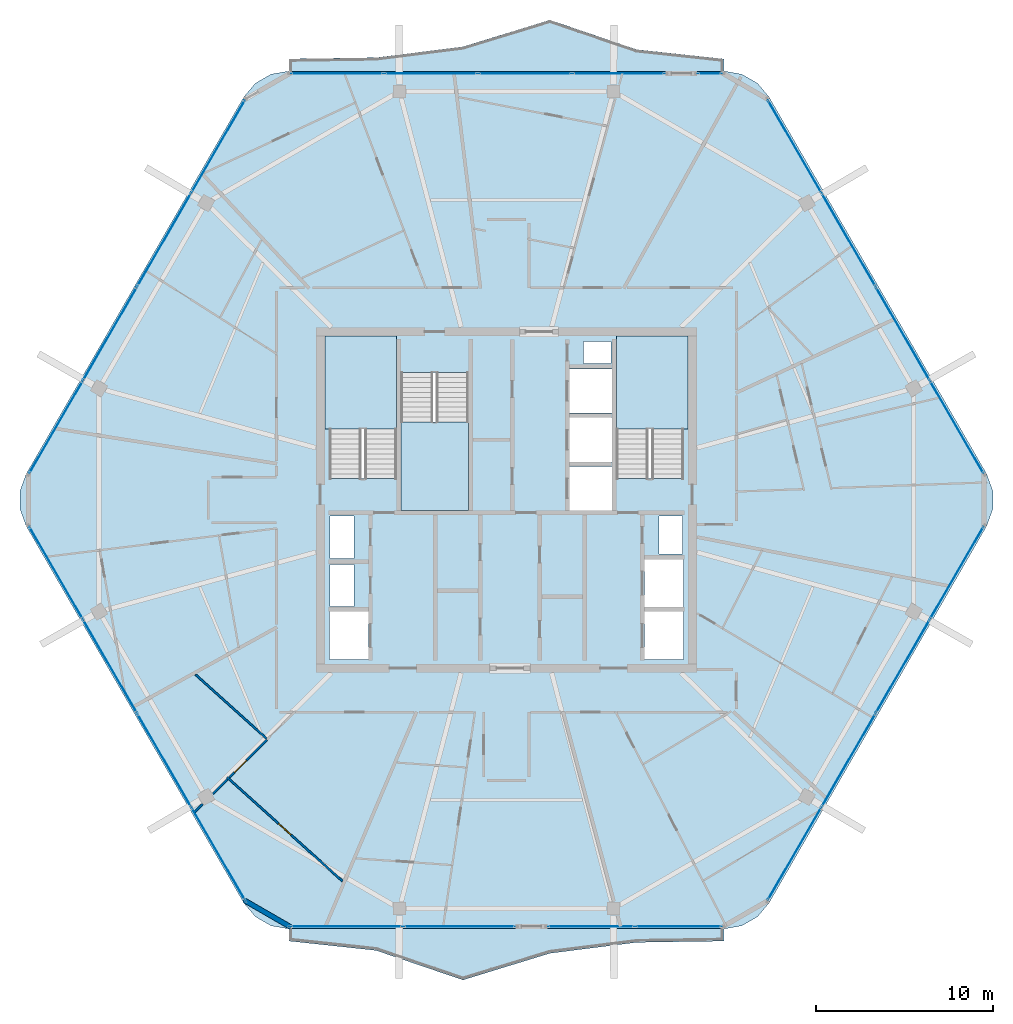
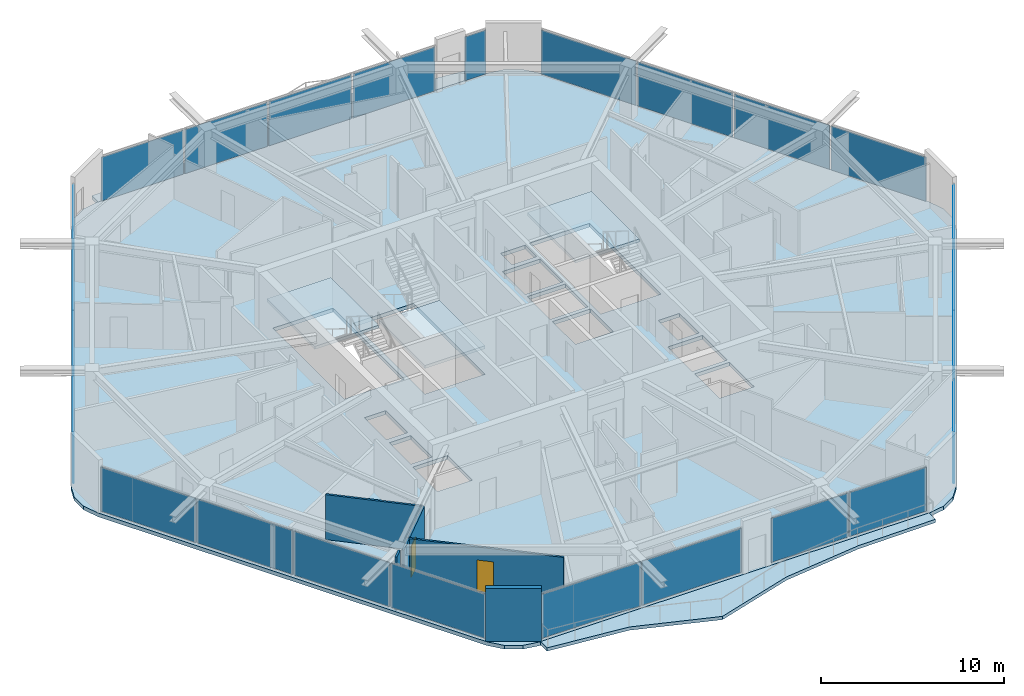
# One storey, part 14 of 21: 25 plates, 6 slabs, 6 walls, 2 doors, 2 openings, 11 elements without a shape of their own.
"""IFC4 building model written with IfcOpenShell, lengths in metres."""

import ifcopenshell
import ifcopenshell.guid

model = None  # the IFC model being written
_history = None  # IfcOwnerHistory: only IFC2X3 demands one
_inside = {}  # id of a spatial element -> (the spatial element, [elements in it])
_under = {}  # id of a project, library or spatial element -> (it, [spatial elements below it])
_declared = {}  # id of a project -> (the project, [libraries it declares])
_typed = {}  # id of a type object -> (the type object, [elements of that type])
_made_of = {}  # id of a material, layer set ... -> (it, [elements and type objects made of it])


def new_model(schema):
    """Start an empty IFC model of exactly this schema.

    Asked for "IFC4X3", IfcOpenShell would pick the latest addendum, in which some entities
    have other attributes; the version numbers below select the first issue.
    IFC2X3 requires an IfcOwnerHistory on every rooted entity: one is made here for all.
    """
    global model, _history
    if schema == "IFC4X3":
        model = ifcopenshell.file(schema_version=(4, 3, 0, 0))
    else:
        model = ifcopenshell.file(schema=schema)
    _inside.clear()
    _under.clear()
    _declared.clear()
    _typed.clear()
    _made_of.clear()
    _history = None
    if model.schema == "IFC2X3":
        org = make("IfcOrganization", Name="unknown")
        user = make(
            "IfcPersonAndOrganization",
            ThePerson=make("IfcPerson", FamilyName="unknown"),
            TheOrganization=org,
        )
        app = make(
            "IfcApplication",
            ApplicationDeveloper=org,
            Version="unknown",
            ApplicationFullName="unknown",
            ApplicationIdentifier="unknown",
        )
        _history = make(
            "IfcOwnerHistory",
            OwningUser=user,
            OwningApplication=app,
            ChangeAction="ADDED",
            CreationDate=0,
        )
    return model


def make(cls, **values):
    """One entity of the class cls with the attributes given. An attribute that is None is left unset."""
    return model.create_entity(
        cls, **{name: value for name, value in values.items() if value is not None}
    )


def rooted(cls, **values):
    """An entity with a GlobalId (a new one), such as an element, a storey or a relation."""
    return make(cls, GlobalId=ifcopenshell.guid.new(), OwnerHistory=_history, **values)


def si_unit(unit_type, name, prefix=None):
    """IfcSIUnit, for example si_unit("LENGTHUNIT", "METRE", prefix="MILLI")."""
    return make("IfcSIUnit", UnitType=unit_type, Prefix=prefix, Name=name)


def assignment(units):
    """IfcUnitAssignment: the units of a project."""
    return None if units is None else make("IfcUnitAssignment", Units=units)


def point(xyz):
    """IfcCartesianPoint."""
    return None if xyz is None else make("IfcCartesianPoint", Coordinates=xyz)


def direction(xyz):
    """IfcDirection."""
    return None if xyz is None else make("IfcDirection", DirectionRatios=xyz)


def frame(location, z_axis=None, x_axis=None):
    """IfcAxis2Placement3D, a coordinate frame: its origin and axes. An axis left out is left unset."""
    return make(
        "IfcAxis2Placement3D",
        Location=point(location),
        Axis=direction(z_axis),
        RefDirection=direction(x_axis),
    )


def frame_2d(location, x_axis=None):
    """IfcAxis2Placement2D, a coordinate frame in the plane: its origin and x axis."""
    return make(
        "IfcAxis2Placement2D", Location=point(location), RefDirection=direction(x_axis)
    )


def origin():
    """The frame at (0, 0, 0) with its axes left unset."""
    return frame((0.0, 0.0, 0.0))


def origin_2d():
    """The frame at (0, 0) in the plane with its x axis left unset."""
    return frame_2d((0.0, 0.0))


def place(relative_to, where):
    """IfcLocalPlacement: puts the frame where relative to a parent placement (None: the world)."""
    return make(
        "IfcLocalPlacement", PlacementRelTo=relative_to, RelativePlacement=where
    )


def context(
    kind, dimensions, precision=None, world=None, true_north=None, identifier=None
):
    """IfcGeometricRepresentationContext, for example the 3D "Model" context."""
    return make(
        "IfcGeometricRepresentationContext",
        ContextIdentifier=identifier,
        ContextType=kind,
        CoordinateSpaceDimension=dimensions,
        Precision=precision,
        WorldCoordinateSystem=world,
        TrueNorth=true_north,
    )


def subcontext(parent, identifier, kind, view, scale=None):
    """IfcGeometricRepresentationSubContext, for example "Body" below "Model"."""
    return make(
        "IfcGeometricRepresentationSubContext",
        ContextIdentifier=identifier,
        ContextType=kind,
        ParentContext=parent,
        TargetScale=scale,
        TargetView=view,
    )


def project(units=None, contexts=None):
    """IfcProject with its units and contexts."""
    return rooted(
        "IfcProject",
        Name="project",
        RepresentationContexts=contexts,
        UnitsInContext=assignment(units),
    )


def spatial(cls, under=None, at=None, **own):
    """A site, building, storey or space (cls), placed at a placement, below another one or the project."""
    s = rooted(cls, ObjectPlacement=at, **own)
    if under is not None:
        _under.setdefault(under.id(), (under, []))[1].append(s)
    return s


def polyline(points):
    """IfcPolyline through the points."""
    return make("IfcPolyline", Points=[point(p) for p in points])


def profile(cls, at=None, kind="AREA", **sizes):
    """A parametric profile (cls). Its sizes go by their IFC names, for example OverallWidth=200.0."""
    return make(cls, ProfileType=kind, Position=at, **sizes)


def rectangle(**sizes):
    """IfcRectangleProfileDef."""
    return profile("IfcRectangleProfileDef", **sizes)


def outline(outer, holes=None, kind="AREA"):
    """IfcArbitraryClosedProfileDef: a profile drawn as a closed curve; with holes, ...WithVoids."""
    if holes is None:
        return make("IfcArbitraryClosedProfileDef", ProfileType=kind, OuterCurve=outer)
    return make(
        "IfcArbitraryProfileDefWithVoids",
        ProfileType=kind,
        OuterCurve=outer,
        InnerCurves=holes,
    )


def extrude(swept, where, along, depth):
    """IfcExtrudedAreaSolid: the profile swept, set in the frame where, extruded along a direction by depth."""
    return make(
        "IfcExtrudedAreaSolid",
        SweptArea=swept,
        Position=where,
        ExtrudedDirection=direction(along),
        Depth=depth,
    )


def shape(context_of_items, identifier, shape_type, items):
    """IfcShapeRepresentation: the items that make up one representation, for example the "Body"."""
    return make(
        "IfcShapeRepresentation",
        ContextOfItems=context_of_items,
        RepresentationIdentifier=identifier,
        RepresentationType=shape_type,
        Items=items,
    )


def material(Name=None, Category=None):
    """IfcMaterial."""
    return make("IfcMaterial", Name=Name, Category=Category)


def layer(
    of_material, thickness, ventilated=None, Name=None, Category=None, Priority=None
):
    """IfcMaterialLayer: one layer of a wall or slab, of a material (None: an air gap)."""
    return make(
        "IfcMaterialLayer",
        Material=of_material,
        LayerThickness=thickness,
        IsVentilated=ventilated,
        Name=Name,
        Category=Category,
        Priority=Priority,
    )


def layer_set(layers, Name=None):
    """IfcMaterialLayerSet."""
    return make("IfcMaterialLayerSet", MaterialLayers=layers, LayerSetName=Name)


def made_of(thing, what):
    """Note that an element or type object is made of a material, layer set ...; save() writes the relation."""
    if what is not None:
        _made_of.setdefault(what.id(), (what, []))[1].append(thing)
    return thing


def type_object(cls, material=None, **own):
    """A type object (cls), such as IfcWallType, which elements share."""
    return made_of(rooted(cls, **own), material)


def element(
    cls,
    number,
    at=None,
    inside=None,
    cuts=None,
    type_object=None,
    material=None,
    context=None,
    identifier="Body",
    shape_type=None,
    held_by="IfcProductDefinitionShape",
    body=None,
    shapes=None,
    **own,
):
    """One element of the class cls, such as IfcWall. Its Tag is "e" and its number.

    at: its placement. inside: the storey or other place that contains it. cuts: it is an
    opening in that element (IfcRelVoidsElement). A single representation is given by context,
    identifier, shape_type and body (its items); several are given by shapes. held_by: the class
    of the entity that holds the representations. save() writes the other relations.
    """
    e = rooted(cls, Tag="e%d" % number, ObjectPlacement=at, **own)
    if body is not None:
        shapes = [shape(context, identifier, shape_type, body)]
    if shapes is not None:
        e.Representation = make(held_by, Representations=shapes)
    if inside is not None:
        _inside.setdefault(inside.id(), (inside, []))[1].append(e)
    if cuts is not None:
        rooted(
            "IfcRelVoidsElement", RelatingBuildingElement=cuts, RelatedOpeningElement=e
        )
    if type_object is not None:
        _typed.setdefault(type_object.id(), (type_object, []))[1].append(e)
    return made_of(e, material)


def fill(opening, filler):
    """IfcRelFillsElement: the door or window that sits in an opening."""
    return rooted(
        "IfcRelFillsElement",
        RelatingOpeningElement=opening,
        RelatedBuildingElement=filler,
    )


def aggregate(whole, parts):
    """IfcRelAggregates: a whole, such as a stair, and the parts it consists of."""
    return rooted("IfcRelAggregates", RelatingObject=whole, RelatedObjects=parts)


def save(model, path):
    """Write the relations noted so far, then the file.

    IfcRelAggregates (storeys below a building ...), IfcRelContainedInSpatialStructure (elements
    in a storey), IfcRelDefinesByType, IfcRelAssociatesMaterial and IfcRelDeclares: one each for
    every whole, place, type object, material and project.
    """
    for whole, parts in _under.values():
        aggregate(whole, parts)
    for where, things in _inside.values():
        rooted(
            "IfcRelContainedInSpatialStructure",
            RelatedElements=things,
            RelatingStructure=where,
        )
    for kind, things in _typed.values():
        rooted("IfcRelDefinesByType", RelatedObjects=things, RelatingType=kind)
    for what, things in _made_of.values():
        rooted("IfcRelAssociatesMaterial", RelatedObjects=things, RelatingMaterial=what)
    for by, libraries in _declared.values():
        rooted("IfcRelDeclares", RelatingContext=by, RelatedDefinitions=libraries)
    model.write(path)


model = new_model("IFC4")

# Units and contexts
model_context = context("Model", 3, precision=1e-05, world=origin(), true_north=direction((0.0, 1.0)))
body_context = subcontext(model_context, "Body", "Model", "MODEL_VIEW")
ifc_project = project(units=[si_unit("LENGTHUNIT", "METRE"), si_unit("AREAUNIT", "SQUARE_METRE"), si_unit("VOLUMEUNIT", "CUBIC_METRE"), si_unit("PLANEANGLEUNIT", "RADIAN"), si_unit("MASSUNIT", "GRAM", prefix="KILO")], contexts=[model_context])

# Site, building, storey
site_placement = place(None, origin())
site = spatial("IfcSite", under=ifc_project, at=site_placement, CompositionType="ELEMENT")
building_placement = place(site_placement, origin())
building = spatial("IfcBuilding", under=site, at=building_placement, Name="Zuhravey Tower", CompositionType="ELEMENT")
storey_placement = place(building_placement, frame((0.0, 0.0, 334.800048828125)))
storey = spatial("IfcBuildingStorey", under=building, at=storey_placement, Name="L85", CompositionType="ELEMENT", Elevation=334.800048828125)

# Slabs
ifc_material_1 = material(Name="Concrete C50/60", Category="concrete")
ifc_layer_1 = layer(ifc_material_1, 0.25)
ifc_layer_set_1 = layer_set([ifc_layer_1], Name="Concrete C50/60")
slab_type_1 = type_object("IfcSlabType", Name="Residential Acoustic Slab 250", PredefinedType="FLOOR", material=ifc_layer_set_1)
slab_1_placement = place(storey_placement, frame((0.0, 0.0, -0.25)))
element("IfcSlab", 1, at=slab_1_placement, inside=storey, type_object=slab_type_1, Name="L85 Floor Slab FS25", PredefinedType="FLOOR", context=body_context, shape_type="SweptSolid", body=[
    extrude(outline(polyline([(63.1083984375, 30.52490234375), (63.458740234375, 31.48779296875), (63.458740234375, 32.51220703125), (63.1083984375, 33.47509765625), (50.83154296875, 54.739013671875), (50.173095703125, 55.52392578125), (49.285888671875, 56.0361328125), (48.27685546875, 56.214111328125), (23.72314453125, 56.214111328125), (22.714111328125, 56.0361328125), (21.826904296875, 55.52392578125), (21.16845703125, 54.739013671875), (8.8916015625, 33.47509765625), (8.541259765625, 32.51220703125), (8.541259765625, 31.48779296875), (8.8916015625, 30.52490234375), (21.16845703125, 9.260986328125), (21.826904296875, 8.47607421875), (22.714111328125, 7.9638671875), (23.72314453125, 7.785888671875), (48.27685546875, 7.785888671875), (49.285888671875, 7.9638671875), (50.173095703125, 8.47607421875), (50.83154296875, 9.260986328125), (63.1083984375, 30.52490234375)]), holes=[polyline([(29.800048828125, 33.20068359375), (29.800048828125, 41.0), (26.0, 41.0), (26.0, 33.20068359375), (29.800048828125, 33.20068359375)]), polyline([(46.0, 33.20068359375), (46.0, 41.0), (42.199951171875, 41.0), (42.199951171875, 33.20068359375), (46.0, 33.20068359375)]), polyline([(30.050048828125, 39.199462890625), (30.050048828125, 31.39990234375), (33.85009765625, 31.39990234375), (33.85009765625, 39.199462890625), (30.050048828125, 39.199462890625)]), polyline([(39.550048828125, 31.39990234375), (41.949951171875, 31.39990234375), (41.949951171875, 33.89990234375), (39.550048828125, 33.89990234375), (39.550048828125, 31.39990234375)]), polyline([(39.550048828125, 34.14990234375), (41.949951171875, 34.14990234375), (41.949951171875, 36.64990234375), (39.550048828125, 36.64990234375), (39.550048828125, 34.14990234375)]), polyline([(39.550048828125, 36.89990234375), (41.949951171875, 36.89990234375), (41.949951171875, 39.39990234375), (39.550048828125, 39.39990234375), (39.550048828125, 36.89990234375)]), polyline([(26.0, 23.0), (28.199951171875, 23.0), (28.199951171875, 25.699951171875), (26.0, 25.699951171875), (26.0, 23.0)]), polyline([(43.800048828125, 23.0), (46.0, 23.0), (46.0, 25.699951171875), (43.800048828125, 25.699951171875), (43.800048828125, 23.0)]), polyline([(43.800048828125, 25.949951171875), (46.0, 25.949951171875), (46.0, 28.64990234375), (43.800048828125, 28.64990234375), (43.800048828125, 25.949951171875)]), polyline([(26.050048828125, 26.0), (27.39990234375, 26.0), (27.39990234375, 28.35009765625), (26.050048828125, 28.35009765625), (26.050048828125, 26.0)]), polyline([(26.050048828125, 28.699951171875), (27.39990234375, 28.699951171875), (27.39990234375, 31.10009765625), (26.050048828125, 31.10009765625), (26.050048828125, 28.699951171875)]), polyline([(44.60009765625, 28.949951171875), (45.949951171875, 28.949951171875), (45.949951171875, 31.10009765625), (44.60009765625, 31.10009765625), (44.60009765625, 28.949951171875)]), polyline([(40.35009765625, 39.699951171875), (41.89990234375, 39.699951171875), (41.89990234375, 40.949951171875), (40.35009765625, 40.949951171875), (40.35009765625, 39.699951171875)])]), origin(), (0.0, 0.0, 1.0), 0.25),
])
ifc_material_2 = material(Name="Concrete C40/50", Category="concrete")
ifc_layer_2 = layer(ifc_material_2, 0.219970703125)
ifc_layer_set_2 = layer_set([ifc_layer_2], Name="Concrete C40/50")
slab_type_2 = type_object("IfcSlabType", Name="Sinusoidal Residential Wave Balcony 220", PredefinedType="FLOOR", material=ifc_layer_set_2)
slab_2_placement = place(storey_placement, frame((0.0, 0.0, -0.219970703125)))
element("IfcSlab", 2, at=slab_2_placement, inside=storey, type_object=slab_type_2, Name="L85 Face 2 Wave Balcony WB22", PredefinedType="FLOOR", context=body_context, shape_type="SweptSolid", body=[
    extrude(outline(polyline([(48.268310546875, 56.19921875), (23.731689453125, 56.19921875), (23.731689453125, 56.899169921875), (28.63916015625, 56.972412109375), (33.54638671875, 57.589111328125), (38.45361328125, 59.095947265625), (43.36083984375, 57.427978515625), (48.268310546875, 56.899169921875), (48.268310546875, 56.19921875)])), origin(), (0.0, 0.0, 1.0), 0.219970703125),
])
slab_3_placement = place(storey_placement, frame((0.0, 0.0, -0.219970703125)))
element("IfcSlab", 3, at=slab_3_placement, inside=storey, type_object=slab_type_2, Name="L85 Face 5 Wave Balcony WB22", PredefinedType="FLOOR", context=body_context, shape_type="SweptSolid", body=[
    extrude(outline(polyline([(23.731689453125, 7.80078125), (48.268310546875, 7.80078125), (48.268310546875, 7.100830078125), (43.36083984375, 7.027587890625), (38.45361328125, 6.410888671875), (33.54638671875, 4.904052734375), (28.63916015625, 6.572021484375), (23.731689453125, 7.100830078125), (23.731689453125, 7.80078125)])), origin(), (0.0, 0.0, 1.0), 0.219970703125),
])

# Stair, slab
stair_type = type_object("IfcStairType", Name="Housing Storey Stair Assembly 3800", PredefinedType="HALF_TURN_STAIR", material=ifc_material_2)
stair_1_placement = place(storey_placement, origin())
stair_1 = element("IfcStair", 4, at=stair_1_placement, inside=storey, type_object=stair_type, Name="L85 Core Exit Stair ST1", PredefinedType="HALF_TURN_STAIR")
ifc_layer_3 = layer(ifc_material_2, 0.199951171875)
ifc_layer_set_3 = layer_set([ifc_layer_3], Name="Concrete C40/50")
slab_type_3 = type_object("IfcSlabType", Name="Stair Landing Slab 200", PredefinedType="LANDING", material=ifc_layer_set_3)
slab_4_placement = place(storey_placement, frame((0.0, 0.0, 1.699951171875)))
slab_4 = element("IfcSlab", 5, at=slab_4_placement, type_object=slab_type_3, Name="ST1 landing 1", PredefinedType="LANDING", context=body_context, shape_type="SweptSolid", body=[
    extrude(outline(polyline([(29.800048828125, 36.0), (29.800048828125, 41.248046875), (25.751953125, 41.248046875), (25.751953125, 36.0), (29.800048828125, 36.0)])), origin(), (0.0, 0.0, 1.0), 0.199951171875),
])
aggregate(stair_1, [slab_4])

stair_2_placement = place(storey_placement, origin())
stair_2 = element("IfcStair", 6, at=stair_2_placement, inside=storey, type_object=stair_type, Name="L85 Core Exit Stair ST2", PredefinedType="HALF_TURN_STAIR")
slab_5_placement = place(storey_placement, frame((0.0, 0.0, 1.699951171875)))
slab_5 = element("IfcSlab", 7, at=slab_5_placement, type_object=slab_type_3, Name="ST2 landing 1", PredefinedType="LANDING", context=body_context, shape_type="SweptSolid", body=[
    extrude(outline(polyline([(46.248046875, 36.0), (46.248046875, 41.248046875), (42.199951171875, 41.248046875), (42.199951171875, 36.0), (46.248046875, 36.0)])), origin(), (0.0, 0.0, 1.0), 0.199951171875),
])
aggregate(stair_2, [slab_5])

stair_3_placement = place(storey_placement, origin())
stair_3 = element("IfcStair", 8, at=stair_3_placement, inside=storey, type_object=stair_type, Name="L85 Core Exit Stair ST3", PredefinedType="HALF_TURN_STAIR")
slab_6_placement = place(storey_placement, frame((0.0, 0.0, 1.699951171875)))
slab_6 = element("IfcSlab", 9, at=slab_6_placement, type_object=slab_type_3, Name="ST3 landing 1", PredefinedType="LANDING", context=body_context, shape_type="SweptSolid", body=[
    extrude(outline(polyline([(30.050048828125, 36.39990234375), (30.050048828125, 31.39990234375), (33.85009765625, 31.39990234375), (33.85009765625, 36.39990234375), (30.050048828125, 36.39990234375)])), origin(), (0.0, 0.0, 1.0), 0.199951171875),
])
aggregate(stair_3, [slab_6])

# Curtain wall, plates
ifc_material_3 = material(Name="Thermally broken anodised aluminium", Category="aluminium")
curtain_wall_type = type_object("IfcCurtainWallType", Name="Zone 3-4 High-Rise Curtain Wall CW4", PredefinedType="NOTDEFINED", material=ifc_material_3)
curtain_wall_1_placement = place(storey_placement, origin())
curtain_wall_1 = element("IfcCurtainWall", 10, at=curtain_wall_1_placement, inside=storey, type_object=curtain_wall_type, Name="L85 CW4 CW-L85-F6-1", PredefinedType="NOTDEFINED")
ifc_material_4 = material(Name="Triple low-E insulated vision glass", Category="glass")
ifc_layer_4 = layer(ifc_material_4, 0.0419921875)
ifc_layer_set_4 = layer_set([ifc_layer_4], Name="Triple low-E insulated vision glass")
plate_type = type_object("IfcPlateType", Name="Triple Low-E Vision Panel", PredefinedType="CURTAIN_PANEL", material=ifc_layer_set_4)
plate_1_placement = place(storey_placement, frame((61.42724609375, 27.89306640625, 0.090087890625), z_axis=(0.0, 0.0, 1.0), x_axis=(-0.49999981336, -0.866025511541, 0.0)))
plate_1 = element("IfcPlate", 11, at=plate_1_placement, type_object=plate_type, Name="CW4 panel 1.1", PredefinedType="CURTAIN_PANEL", context=body_context, shape_type="SweptSolid", body=[
    extrude(rectangle(XDim=5.984619140625, YDim=0.0419921875, at=origin_2d()), origin(), (0.0, 0.0, 1.0), 2.94189453125),
])
plate_2_placement = place(storey_placement, frame((58.378662109375, 22.61279296875, 0.090087890625), z_axis=(0.0, 0.0, 1.0), x_axis=(-0.49999981336, -0.866025511541, 0.0)))
plate_2 = element("IfcPlate", 12, at=plate_2_placement, type_object=plate_type, Name="CW4 panel 2.1", PredefinedType="CURTAIN_PANEL", context=body_context, shape_type="SweptSolid", body=[
    extrude(rectangle(XDim=6.029541015625, YDim=0.0419921875, at=origin_2d()), origin(), (0.0, 0.0, 1.0), 2.94189453125),
])
plate_3_placement = place(storey_placement, frame((55.31884765625, 17.31298828125, 0.090087890625), z_axis=(0.0, 0.0, 1.0), x_axis=(-0.49999981336, -0.866025511541, 0.0)))
plate_3 = element("IfcPlate", 13, at=plate_3_placement, type_object=plate_type, Name="CW4 panel 3.1", PredefinedType="CURTAIN_PANEL", context=body_context, shape_type="SweptSolid", body=[
    extrude(rectangle(XDim=6.029541015625, YDim=0.0419921875, at=origin_2d()), origin(), (0.0, 0.0, 1.0), 2.94189453125),
])
plate_4_placement = place(storey_placement, frame((52.270263671875, 12.03271484375, 0.090087890625), z_axis=(0.0, 0.0, 1.0), x_axis=(-0.49999981336, -0.866025511541, 0.0)))
plate_4 = element("IfcPlate", 14, at=plate_4_placement, type_object=plate_type, Name="CW4 panel 4.1", PredefinedType="CURTAIN_PANEL", context=body_context, shape_type="SweptSolid", body=[
    extrude(rectangle(XDim=5.984619140625, YDim=0.0419921875, at=origin_2d()), origin(), (0.0, 0.0, 1.0), 2.94189453125),
])
aggregate(curtain_wall_1, [plate_1, plate_2, plate_3, plate_4])

curtain_wall_2_placement = place(storey_placement, origin())
curtain_wall_2 = element("IfcCurtainWall", 15, at=curtain_wall_2_placement, inside=storey, type_object=curtain_wall_type, Name="L85 CW4 CW-L85-F5-1", PredefinedType="NOTDEFINED")
plate_5_placement = place(storey_placement, frame((45.722412109375, 7.92578125, 0.090087890625), z_axis=(0.0, 0.0, 1.0), x_axis=(-1.0, 0.0, 0.0)))
plate_5 = element("IfcPlate", 16, at=plate_5_placement, type_object=plate_type, Name="CW4 panel 1.1", PredefinedType="CURTAIN_PANEL", context=body_context, shape_type="SweptSolid", body=[
    extrude(rectangle(XDim=4.853515625, YDim=0.0419921875, at=origin_2d()), origin(), (0.0, 0.0, 1.0), 2.94189453125),
])
plate_6_placement = place(storey_placement, frame((40.77880859375, 7.92578125, 0.090087890625), z_axis=(0.0, 0.0, 1.0), x_axis=(-1.0, 0.0, 0.0)))
plate_6 = element("IfcPlate", 17, at=plate_6_placement, type_object=plate_type, Name="CW4 panel 2.1", PredefinedType="CURTAIN_PANEL", context=body_context, shape_type="SweptSolid", body=[
    extrude(rectangle(XDim=4.853515625, YDim=0.0419921875, at=origin_2d()), origin(), (0.0, 0.0, 1.0), 2.94189453125),
])
aggregate(curtain_wall_2, [plate_5, plate_6])

curtain_wall_3_placement = place(storey_placement, origin())
curtain_wall_3 = element("IfcCurtainWall", 18, at=curtain_wall_3_placement, inside=storey, type_object=curtain_wall_type, Name="L85 CW4 CW-L85-F5-2", PredefinedType="NOTDEFINED")
plate_7_placement = place(storey_placement, frame((33.33935546875, 7.92578125, 0.090087890625), z_axis=(0.0, 0.0, 1.0), x_axis=(-1.0, 0.0, 0.0)))
plate_7 = element("IfcPlate", 19, at=plate_7_placement, type_object=plate_type, Name="CW4 panel 1.1", PredefinedType="CURTAIN_PANEL", context=body_context, shape_type="SweptSolid", body=[
    extrude(rectangle(XDim=6.265625, YDim=0.0419921875, at=origin_2d()), origin(), (0.0, 0.0, 1.0), 2.94189453125),
])
plate_8_placement = place(storey_placement, frame((26.983642578125, 7.92578125, 0.090087890625), z_axis=(0.0, 0.0, 1.0), x_axis=(-1.0, 0.0, 0.0)))
plate_8 = element("IfcPlate", 20, at=plate_8_placement, type_object=plate_type, Name="CW4 panel 2.1", PredefinedType="CURTAIN_PANEL", context=body_context, shape_type="SweptSolid", body=[
    extrude(rectangle(XDim=6.265625, YDim=0.0419921875, at=origin_2d()), origin(), (0.0, 0.0, 1.0), 2.94189453125),
])
aggregate(curtain_wall_3, [plate_7, plate_8])

curtain_wall_4_placement = place(storey_placement, origin())
curtain_wall_4 = element("IfcCurtainWall", 21, at=curtain_wall_4_placement, inside=storey, type_object=curtain_wall_type, Name="L85 CW4 CW-L85-F4-1", PredefinedType="NOTDEFINED")
plate_9_placement = place(storey_placement, frame((19.729736328125, 12.03271484375, 0.090087890625), z_axis=(0.0, 0.0, 1.0), x_axis=(-0.49999981336, 0.866025511541, 0.0)))
plate_9 = element("IfcPlate", 22, at=plate_9_placement, type_object=plate_type, Name="CW4 panel 1.1", PredefinedType="CURTAIN_PANEL", context=body_context, shape_type="SweptSolid", body=[
    extrude(rectangle(XDim=5.984619140625, YDim=0.0419921875, at=origin_2d()), origin(), (0.0, 0.0, 1.0), 2.94189453125),
])
plate_10_placement = place(storey_placement, frame((16.68115234375, 17.31298828125, 0.090087890625), z_axis=(0.0, 0.0, 1.0), x_axis=(-0.49999981336, 0.866025511541, 0.0)))
plate_10 = element("IfcPlate", 23, at=plate_10_placement, type_object=plate_type, Name="CW4 panel 2.1", PredefinedType="CURTAIN_PANEL", context=body_context, shape_type="SweptSolid", body=[
    extrude(rectangle(XDim=6.029541015625, YDim=0.0419921875, at=origin_2d()), origin(), (0.0, 0.0, 1.0), 2.94189453125),
])
plate_11_placement = place(storey_placement, frame((13.621337890625, 22.61279296875, 0.090087890625), z_axis=(0.0, 0.0, 1.0), x_axis=(-0.49999981336, 0.866025511541, 0.0)))
plate_11 = element("IfcPlate", 24, at=plate_11_placement, type_object=plate_type, Name="CW4 panel 3.1", PredefinedType="CURTAIN_PANEL", context=body_context, shape_type="SweptSolid", body=[
    extrude(rectangle(XDim=6.029541015625, YDim=0.0419921875, at=origin_2d()), origin(), (0.0, 0.0, 1.0), 2.94189453125),
])
plate_12_placement = place(storey_placement, frame((10.57275390625, 27.89306640625, 0.090087890625), z_axis=(0.0, 0.0, 1.0), x_axis=(-0.49999981336, 0.866025511541, 0.0)))
plate_12 = element("IfcPlate", 25, at=plate_12_placement, type_object=plate_type, Name="CW4 panel 4.1", PredefinedType="CURTAIN_PANEL", context=body_context, shape_type="SweptSolid", body=[
    extrude(rectangle(XDim=5.984619140625, YDim=0.0419921875, at=origin_2d()), origin(), (0.0, 0.0, 1.0), 2.94189453125),
])
aggregate(curtain_wall_4, [plate_9, plate_10, plate_11, plate_12])

curtain_wall_5_placement = place(storey_placement, origin())
curtain_wall_5 = element("IfcCurtainWall", 26, at=curtain_wall_5_placement, inside=storey, type_object=curtain_wall_type, Name="L85 CW4 CW-L85-F3-1", PredefinedType="NOTDEFINED")
plate_13_placement = place(storey_placement, frame((10.57275390625, 36.10693359375, 0.090087890625), z_axis=(0.0, 0.0, 1.0), x_axis=(0.49999981336, 0.866025511541, 0.0)))
plate_13 = element("IfcPlate", 27, at=plate_13_placement, type_object=plate_type, Name="CW4 panel 1.1", PredefinedType="CURTAIN_PANEL", context=body_context, shape_type="SweptSolid", body=[
    extrude(rectangle(XDim=5.984619140625, YDim=0.0419921875, at=origin_2d()), origin(), (0.0, 0.0, 1.0), 2.94189453125),
])
plate_14_placement = place(storey_placement, frame((13.621337890625, 41.38720703125, 0.090087890625), z_axis=(0.0, 0.0, 1.0), x_axis=(0.49999981336, 0.866025511541, 0.0)))
plate_14 = element("IfcPlate", 28, at=plate_14_placement, type_object=plate_type, Name="CW4 panel 2.1", PredefinedType="CURTAIN_PANEL", context=body_context, shape_type="SweptSolid", body=[
    extrude(rectangle(XDim=6.029541015625, YDim=0.0419921875, at=origin_2d()), origin(), (0.0, 0.0, 1.0), 2.94189453125),
])
plate_15_placement = place(storey_placement, frame((16.68115234375, 46.68701171875, 0.090087890625), z_axis=(0.0, 0.0, 1.0), x_axis=(0.49999981336, 0.866025511541, 0.0)))
plate_15 = element("IfcPlate", 29, at=plate_15_placement, type_object=plate_type, Name="CW4 panel 3.1", PredefinedType="CURTAIN_PANEL", context=body_context, shape_type="SweptSolid", body=[
    extrude(rectangle(XDim=6.029541015625, YDim=0.0419921875, at=origin_2d()), origin(), (0.0, 0.0, 1.0), 2.94189453125),
])
plate_16_placement = place(storey_placement, frame((19.729736328125, 51.96728515625, 0.090087890625), z_axis=(0.0, 0.0, 1.0), x_axis=(0.49999981336, 0.866025511541, 0.0)))
plate_16 = element("IfcPlate", 30, at=plate_16_placement, type_object=plate_type, Name="CW4 panel 4.1", PredefinedType="CURTAIN_PANEL", context=body_context, shape_type="SweptSolid", body=[
    extrude(rectangle(XDim=5.984619140625, YDim=0.0419921875, at=origin_2d()), origin(), (0.0, 0.0, 1.0), 2.94189453125),
])
aggregate(curtain_wall_5, [plate_13, plate_14, plate_15, plate_16])

curtain_wall_6_placement = place(storey_placement, origin())
curtain_wall_6 = element("IfcCurtainWall", 31, at=curtain_wall_6_placement, inside=storey, type_object=curtain_wall_type, Name="L85 CW4 CW-L85-F2-1", PredefinedType="NOTDEFINED")
plate_17_placement = place(storey_placement, frame((26.440673828125, 56.07421875, 0.090087890625), z_axis=(0.0, 0.0, 1.0), x_axis=(1.0, 0.0, 0.0)))
plate_17 = element("IfcPlate", 32, at=plate_17_placement, type_object=plate_type, Name="CW4 panel 1.1", PredefinedType="CURTAIN_PANEL", context=body_context, shape_type="SweptSolid", body=[
    extrude(rectangle(XDim=5.1796875, YDim=0.0419921875, at=origin_2d()), origin(), (0.0, 0.0, 1.0), 2.94189453125),
])
plate_18_placement = place(storey_placement, frame((31.732666015625, 56.07421875, 0.090087890625), z_axis=(0.0, 0.0, 1.0), x_axis=(1.0, 0.0, 0.0)))
plate_18 = element("IfcPlate", 33, at=plate_18_placement, type_object=plate_type, Name="CW4 panel 2.1", PredefinedType="CURTAIN_PANEL", context=body_context, shape_type="SweptSolid", body=[
    extrude(rectangle(XDim=5.224609375, YDim=0.0419921875, at=origin_2d()), origin(), (0.0, 0.0, 1.0), 2.94189453125),
])
plate_19_placement = place(storey_placement, frame((37.047607421875, 56.07421875, 0.090087890625), z_axis=(0.0, 0.0, 1.0), x_axis=(1.0, 0.0, 0.0)))
plate_19 = element("IfcPlate", 34, at=plate_19_placement, type_object=plate_type, Name="CW4 panel 3.1", PredefinedType="CURTAIN_PANEL", context=body_context, shape_type="SweptSolid", body=[
    extrude(rectangle(XDim=5.224609375, YDim=0.0419921875, at=origin_2d()), origin(), (0.0, 0.0, 1.0), 2.94189453125),
])
plate_20_placement = place(storey_placement, frame((42.33984375, 56.07421875, 0.090087890625), z_axis=(0.0, 0.0, 1.0), x_axis=(1.0, 0.0, 0.0)))
plate_20 = element("IfcPlate", 35, at=plate_20_placement, type_object=plate_type, Name="CW4 panel 4.1", PredefinedType="CURTAIN_PANEL", context=body_context, shape_type="SweptSolid", body=[
    extrude(rectangle(XDim=5.1796875, YDim=0.0419921875, at=origin_2d()), origin(), (0.0, 0.0, 1.0), 2.94189453125),
])
aggregate(curtain_wall_6, [plate_17, plate_18, plate_19, plate_20])

# Curtain wall, plate
curtain_wall_7_placement = place(storey_placement, origin())
curtain_wall_7 = element("IfcCurtainWall", 36, at=curtain_wall_7_placement, inside=storey, type_object=curtain_wall_type, Name="L85 CW4 CW-L85-F2-2", PredefinedType="NOTDEFINED")
plate_21_placement = place(storey_placement, frame((47.4794921875, 56.07421875, 0.090087890625), z_axis=(0.0, 0.0, 1.0), x_axis=(1.0, 0.0, 0.0)))
plate_21 = element("IfcPlate", 37, at=plate_21_placement, type_object=plate_type, Name="CW4 panel 1.1", PredefinedType="CURTAIN_PANEL", context=body_context, shape_type="SweptSolid", body=[
    extrude(rectangle(XDim=1.339599609375, YDim=0.0419921875, at=origin_2d()), origin(), (0.0, 0.0, 1.0), 2.94189453125),
])
aggregate(curtain_wall_7, [plate_21])

# Curtain wall, plates
curtain_wall_8_placement = place(storey_placement, origin())
curtain_wall_8 = element("IfcCurtainWall", 38, at=curtain_wall_8_placement, inside=storey, type_object=curtain_wall_type, Name="L85 CW4 CW-L85-F1-1", PredefinedType="NOTDEFINED")
plate_22_placement = place(storey_placement, frame((52.270263671875, 51.96728515625, 0.090087890625), z_axis=(0.0, 0.0, 1.0), x_axis=(0.49999981336, -0.866025511541, 0.0)))
plate_22 = element("IfcPlate", 39, at=plate_22_placement, type_object=plate_type, Name="CW4 panel 1.1", PredefinedType="CURTAIN_PANEL", context=body_context, shape_type="SweptSolid", body=[
    extrude(rectangle(XDim=5.984619140625, YDim=0.0419921875, at=origin_2d()), origin(), (0.0, 0.0, 1.0), 2.94189453125),
])
plate_23_placement = place(storey_placement, frame((55.31884765625, 46.68701171875, 0.090087890625), z_axis=(0.0, 0.0, 1.0), x_axis=(0.49999981336, -0.866025511541, 0.0)))
plate_23 = element("IfcPlate", 40, at=plate_23_placement, type_object=plate_type, Name="CW4 panel 2.1", PredefinedType="CURTAIN_PANEL", context=body_context, shape_type="SweptSolid", body=[
    extrude(rectangle(XDim=6.029541015625, YDim=0.0419921875, at=origin_2d()), origin(), (0.0, 0.0, 1.0), 2.94189453125),
])
plate_24_placement = place(storey_placement, frame((58.378662109375, 41.38720703125, 0.090087890625), z_axis=(0.0, 0.0, 1.0), x_axis=(0.49999981336, -0.866025511541, 0.0)))
plate_24 = element("IfcPlate", 41, at=plate_24_placement, type_object=plate_type, Name="CW4 panel 3.1", PredefinedType="CURTAIN_PANEL", context=body_context, shape_type="SweptSolid", body=[
    extrude(rectangle(XDim=6.029541015625, YDim=0.0419921875, at=origin_2d()), origin(), (0.0, 0.0, 1.0), 2.94189453125),
])
plate_25_placement = place(storey_placement, frame((61.42724609375, 36.10693359375, 0.090087890625), z_axis=(0.0, 0.0, 1.0), x_axis=(0.49999981336, -0.866025511541, 0.0)))
plate_25 = element("IfcPlate", 42, at=plate_25_placement, type_object=plate_type, Name="CW4 panel 4.1", PredefinedType="CURTAIN_PANEL", context=body_context, shape_type="SweptSolid", body=[
    extrude(rectangle(XDim=5.984619140625, YDim=0.0419921875, at=origin_2d()), origin(), (0.0, 0.0, 1.0), 2.94189453125),
])
aggregate(curtain_wall_8, [plate_22, plate_23, plate_24, plate_25])

# Wall
ifc_material_5 = material(Name="Precast concrete C40/50", Category="concrete")
ifc_layer_5 = layer(ifc_material_5, 0.280029296875)
ifc_layer_set_5 = layer_set([ifc_layer_5], Name="Precast concrete C40/50")
wall_type_1 = type_object("IfcWallType", Name="Crown Architectural Wall 280", PredefinedType="SOLIDWALL", material=ifc_layer_set_5)
wall_1_placement = place(storey_placement, frame((23.843017578125, 7.87841796875, 0.0), z_axis=(0.0, 0.0, 1.0), x_axis=(-0.866023752521, 0.50000286006, 0.0)))
element("IfcWall", 43, at=wall_1_placement, inside=storey, type_object=wall_type_1, Name="L85 Rounded Corner Closure Wall EW28-04", PredefinedType="SOLIDWALL", context=body_context, shape_type="SweptSolid", body=[
    extrude(rectangle(XDim=3.06494140625, YDim=0.280029296875, at=frame_2d((1.532470703125, 0.0))), origin(), (0.0, 0.0, 1.0), 3.550048828125),
])

# Wall, opening, door
ifc_material_6 = material(Name="Gypsum metal-stud partition")
ifc_layer_6 = layer(ifc_material_6, 0.1201171875)
ifc_layer_set_6 = layer_set([ifc_layer_6], Name="Gypsum metal-stud partition")
wall_type_2 = type_object("IfcWallType", Name="Unit Internal Partition 120", PredefinedType="PARTITIONING", material=ifc_layer_set_6)
wall_2_placement = place(storey_placement, frame((20.2294921875, 16.348876953125, 0.0), z_axis=(0.0, 0.0, 1.0), x_axis=(0.743128113079, -0.669149166891, 0.0)))
wall_2 = element("IfcWall", 44, at=wall_2_placement, inside=storey, type_object=wall_type_2, Name="L85 IW12 Partition 028", PredefinedType="PARTITIONING", context=body_context, shape_type="SweptSolid", body=[
    extrude(rectangle(XDim=8.775146484375, YDim=0.1201171875, at=frame_2d((4.3876953125, 0.0))), origin(), (0.0, 0.0, 1.0), 2.969970703125),
])
opening_1_placement = place(wall_2_placement, frame((3.91259765625, 0.0, 0.0)))
opening_1 = element("IfcOpeningElement", 45, at=opening_1_placement, cuts=wall_2, Name="Opening IND1", PredefinedType="OPENING", context=body_context, shape_type="SweptSolid", body=[
    extrude(rectangle(XDim=0.949951171875, YDim=2.10009765625, at=frame_2d((0.47509765625, 1.050048828125))), frame((0.0, 0.072021484375, 0.0), z_axis=(0.0, -1.0, 0.0), x_axis=(1.0, 0.0, 0.0)), (0.0, 0.0, 1.0), 0.14404296875),
])
ifc_material_7 = material(Name="Painted engineered timber leaf", Category="wood")
door_type = type_object("IfcDoorType", Name="Internal Room & Bedroom Door 950x2100", OperationType="NOTDEFINED", PredefinedType="DOOR", material=ifc_material_7)
door_1_placement = place(opening_1_placement, frame((0.949951171875, 0.0, 0.0), z_axis=(0.0, 0.0, 1.0), x_axis=(-1.0, 0.0, 0.0)))
door_1 = element("IfcDoor", 46, at=door_1_placement, inside=storey, type_object=door_type, Name="Apartment L85-03 Family Study Door", OperationType="SINGLE_SWING_LEFT", OverallHeight=2.10009765625, OverallWidth=0.949951171875, PredefinedType="DOOR", context=body_context, shape_type="SweptSolid", body=[
    extrude(rectangle(XDim=0.949951171875, YDim=2.10009765625, at=frame_2d((0.47509765625, 1.050048828125))), frame((0.0, 0.02490234375, 0.0), z_axis=(0.0, -1.0, 0.0), x_axis=(1.0, 0.0, 0.0)), (0.0, 0.0, 1.0), 0.050048828125),
])
fill(opening_1, door_1)

wall_3_placement = place(storey_placement, frame((22.490966796875, 18.47216796875, 0.0), z_axis=(0.0, 0.0, 1.0), x_axis=(-0.706622737924, -0.707590493329, 0.0)))
wall_3 = element("IfcWall", 47, at=wall_3_placement, inside=storey, type_object=wall_type_2, Name="L85 IW12 Partition 030", PredefinedType="PARTITIONING", context=body_context, shape_type="SweptSolid", body=[
    extrude(rectangle(XDim=3.02734375, YDim=0.1201171875, at=frame_2d((1.513671875, 0.0))), origin(), (0.0, 0.0, 1.0), 3.0),
])
opening_2_placement = place(wall_3_placement, frame((1.65869140625, 0.0, 0.0)))
opening_2 = element("IfcOpeningElement", 48, at=opening_2_placement, cuts=wall_3, Name="Opening IND1", PredefinedType="OPENING", context=body_context, shape_type="SweptSolid", body=[
    extrude(rectangle(XDim=0.949951171875, YDim=2.10009765625, at=frame_2d((0.47509765625, 1.050048828125))), frame((0.0, 0.072021484375, 0.0), z_axis=(0.0, -1.0, 0.0), x_axis=(1.0, 0.0, 0.0)), (0.0, 0.0, 1.0), 0.14404296875),
])
door_2_placement = place(opening_2_placement, frame((0.949951171875, 0.0, 0.0), z_axis=(0.0, 0.0, 1.0), x_axis=(-1.0, 0.0, 0.0)))
door_2 = element("IfcDoor", 49, at=door_2_placement, inside=storey, type_object=door_type, Name="Apartment L85-03 Bedroom 1 Door", OperationType="SINGLE_SWING_LEFT", OverallHeight=2.10009765625, OverallWidth=0.949951171875, PredefinedType="DOOR", context=body_context, shape_type="SweptSolid", body=[
    extrude(rectangle(XDim=0.949951171875, YDim=2.10009765625, at=frame_2d((0.47509765625, 1.050048828125))), frame((0.0, 0.02490234375, 0.0), z_axis=(0.0, -1.0, 0.0), x_axis=(1.0, 0.0, 0.0)), (0.0, 0.0, 1.0), 0.050048828125),
])
fill(opening_2, door_2)

# Walls
wall_4_placement = place(storey_placement, frame((20.255615234375, 16.233642578125, 0.0), z_axis=(0.0, 0.0, 1.0), x_axis=(-0.7066834908, -0.707529818334, 0.0)))
element("IfcWall", 50, at=wall_4_placement, inside=storey, type_object=wall_type_2, Name="L85 IW12 Partition 031", PredefinedType="PARTITIONING", context=body_context, shape_type="SweptSolid", body=[
    extrude(rectangle(XDim=1.15380859375, YDim=0.1201171875, at=frame_2d((0.576904296875, 0.0))), origin(), (0.0, 0.0, 1.0), 3.0),
])
wall_5_placement = place(storey_placement, frame((18.8671875, 14.84326171875, 0.0), z_axis=(0.0, 0.0, 1.0), x_axis=(-0.706572645611, -0.70764051359, 0.0)))
element("IfcWall", 51, at=wall_5_placement, inside=storey, type_object=wall_type_2, Name="L85 IW12 Partition 072", PredefinedType="PARTITIONING", context=body_context, shape_type="SweptSolid", body=[
    extrude(rectangle(XDim=0.685791015625, YDim=0.1201171875, at=frame_2d((0.3427734375, 0.0))), origin(), (0.0, 0.0, 1.0), 3.550048828125),
])
wall_6_placement = place(storey_placement, frame((18.447265625, 22.14697265625, 0.0), z_axis=(0.0, 0.0, 1.0), x_axis=(0.743118679311, -0.669159643478, 0.0)))
element("IfcWall", 52, at=wall_6_placement, inside=storey, type_object=wall_type_2, Name="L85 IW12 Partition 073", PredefinedType="PARTITIONING", context=body_context, shape_type="SweptSolid", body=[
    extrude(rectangle(XDim=5.397216796875, YDim=0.1201171875, at=frame_2d((2.69873046875, 0.0))), origin(), (0.0, 0.0, 1.0), 3.0),
])

save(model, "model.ifc")
